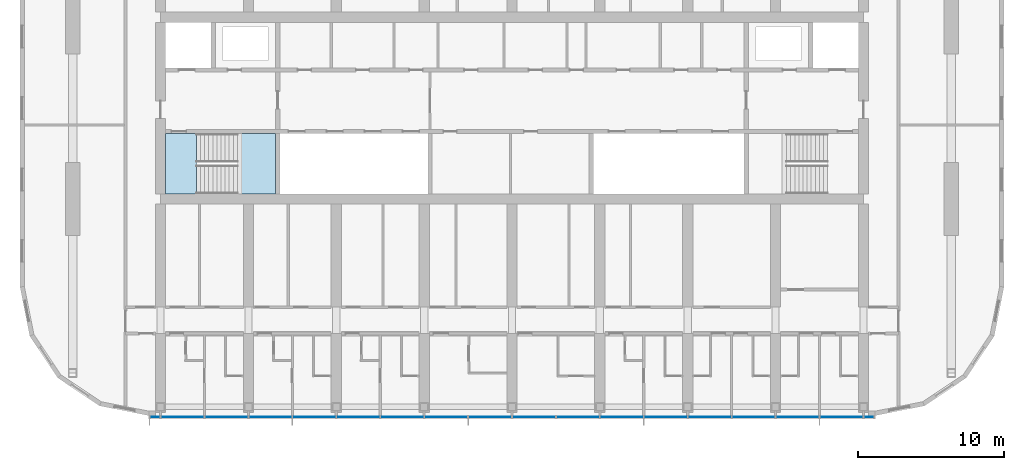
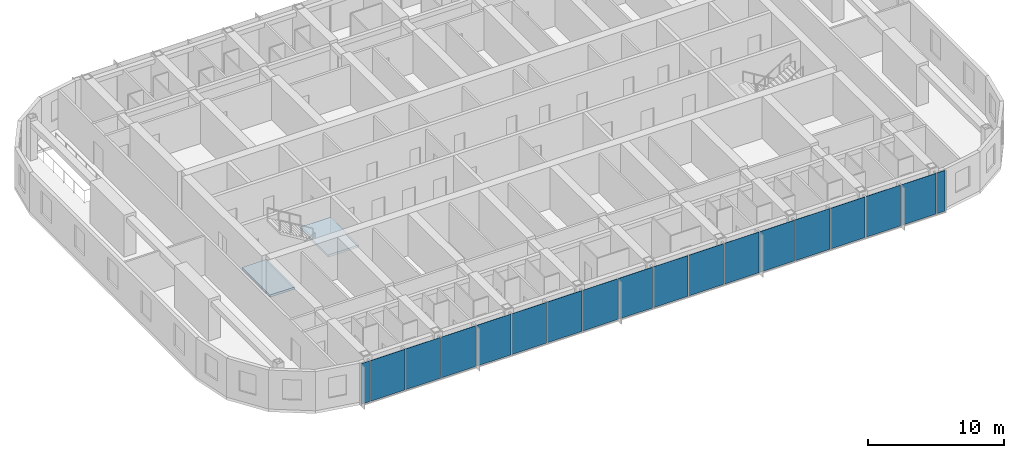
# One storey, part 7 of 24: 18 plates, 2 slabs, 2 elements without a shape of their own.
"""IFC4 building model written with IfcOpenShell, lengths in metres."""

from ifc_helpers import new_model, si_unit, direction, frame, origin, origin_2d, place, context, subcontext, project, spatial, polyline, rectangle, outline, extrude, material, layer, layer_set, type_object, element, aggregate, save


model = new_model("IFC4")

# Units and contexts
model_context = context("Model", 3, precision=1e-05, world=origin(), true_north=direction((0.0, 1.0)))
body_context = subcontext(model_context, "Body", "Model", "MODEL_VIEW")
ifc_project = project(units=[si_unit("LENGTHUNIT", "METRE"), si_unit("AREAUNIT", "SQUARE_METRE"), si_unit("VOLUMEUNIT", "CUBIC_METRE"), si_unit("PLANEANGLEUNIT", "RADIAN"), si_unit("MASSUNIT", "GRAM", prefix="KILO")], contexts=[model_context])

# Site, building, storey
site_placement = place(None, origin())
site = spatial("IfcSite", under=ifc_project, at=site_placement, CompositionType="ELEMENT")
building_placement = place(site_placement, origin())
building = spatial("IfcBuilding", under=site, at=building_placement, Name="Orbita Commons", CompositionType="ELEMENT")
storey_placement = place(building_placement, frame((0.0, 0.0, 235.300048828125)))
storey = spatial("IfcBuildingStorey", under=building, at=storey_placement, Name="L58", CompositionType="ELEMENT", Elevation=235.300048828125)

# Curtain wall, plates
ifc_material_1 = material(Name="Anodised aluminium frame, pale silver", Category="aluminium")
curtain_wall_type = type_object("IfcCurtainWallType", Name="Unitised curtain wall CW-U, full-height vision", PredefinedType="NOTDEFINED", material=ifc_material_1)
curtain_wall_placement = place(storey_placement, origin())
curtain_wall = element("IfcCurtainWall", 1, at=curtain_wall_placement, inside=storey, type_object=curtain_wall_type, Name="Curtain wall south L58", PredefinedType="NOTDEFINED")
ifc_material_2 = material(Name="Clear double glazing", Category="glass")
ifc_layer_1 = layer(ifc_material_2, 0.031982421875)
ifc_layer_set_1 = layer_set([ifc_layer_1], Name="Clear double glazing")
plate_type = type_object("IfcPlateType", Name="Full-height vision panel, clear glazing 32", PredefinedType="CURTAIN_PANEL", material=ifc_layer_set_1)
plate_1_placement = place(storey_placement, frame((17.6201171875, 10.889892578125, -0.14990234375), z_axis=(0.0, 0.0, 1.0), x_axis=(1.0, 0.0, 0.0)))
plate_1 = element("IfcPlate", 2, at=plate_1_placement, type_object=plate_type, Name="Panel 1.1 CW-L58-S", PredefinedType="CURTAIN_PANEL", context=body_context, shape_type="SweptSolid", body=[
    extrude(rectangle(XDim=0.679931640625, YDim=0.031982421875, at=origin_2d()), origin(), (0.0, 0.0, 1.0), 3.64990234375),
])
plate_2_placement = place(storey_placement, frame((19.5, 10.889892578125, -0.14990234375), z_axis=(0.0, 0.0, 1.0), x_axis=(1.0, 0.0, 0.0)))
plate_2 = element("IfcPlate", 3, at=plate_2_placement, type_object=plate_type, Name="Panel 2.1 CW-L58-S", PredefinedType="CURTAIN_PANEL", context=body_context, shape_type="SweptSolid", body=[
    extrude(rectangle(XDim=2.919921875, YDim=0.031982421875, at=origin_2d()), origin(), (0.0, 0.0, 1.0), 3.64990234375),
])
plate_3_placement = place(storey_placement, frame((22.5, 10.889892578125, -0.14990234375), z_axis=(0.0, 0.0, 1.0), x_axis=(1.0, 0.0, 0.0)))
plate_3 = element("IfcPlate", 4, at=plate_3_placement, type_object=plate_type, Name="Panel 3.1 CW-L58-S", PredefinedType="CURTAIN_PANEL", context=body_context, shape_type="SweptSolid", body=[
    extrude(rectangle(XDim=2.919921875, YDim=0.031982421875, at=origin_2d()), origin(), (0.0, 0.0, 1.0), 3.64990234375),
])
plate_4_placement = place(storey_placement, frame((25.5, 10.889892578125, -0.14990234375), z_axis=(0.0, 0.0, 1.0), x_axis=(1.0, 0.0, 0.0)))
plate_4 = element("IfcPlate", 5, at=plate_4_placement, type_object=plate_type, Name="Panel 4.1 CW-L58-S", PredefinedType="CURTAIN_PANEL", context=body_context, shape_type="SweptSolid", body=[
    extrude(rectangle(XDim=2.919921875, YDim=0.031982421875, at=origin_2d()), origin(), (0.0, 0.0, 1.0), 3.64990234375),
])
plate_5_placement = place(storey_placement, frame((28.5, 10.889892578125, -0.14990234375), z_axis=(0.0, 0.0, 1.0), x_axis=(1.0, 0.0, 0.0)))
plate_5 = element("IfcPlate", 6, at=plate_5_placement, type_object=plate_type, Name="Panel 5.1 CW-L58-S", PredefinedType="CURTAIN_PANEL", context=body_context, shape_type="SweptSolid", body=[
    extrude(rectangle(XDim=2.919921875, YDim=0.031982421875, at=origin_2d()), origin(), (0.0, 0.0, 1.0), 3.64990234375),
])
plate_6_placement = place(storey_placement, frame((31.5, 10.889892578125, -0.14990234375), z_axis=(0.0, 0.0, 1.0), x_axis=(1.0, 0.0, 0.0)))
plate_6 = element("IfcPlate", 7, at=plate_6_placement, type_object=plate_type, Name="Panel 6.1 CW-L58-S", PredefinedType="CURTAIN_PANEL", context=body_context, shape_type="SweptSolid", body=[
    extrude(rectangle(XDim=2.919921875, YDim=0.031982421875, at=origin_2d()), origin(), (0.0, 0.0, 1.0), 3.64990234375),
])
plate_7_placement = place(storey_placement, frame((34.5, 10.889892578125, -0.14990234375), z_axis=(0.0, 0.0, 1.0), x_axis=(1.0, 0.0, 0.0)))
plate_7 = element("IfcPlate", 8, at=plate_7_placement, type_object=plate_type, Name="Panel 7.1 CW-L58-S", PredefinedType="CURTAIN_PANEL", context=body_context, shape_type="SweptSolid", body=[
    extrude(rectangle(XDim=2.919921875, YDim=0.031982421875, at=origin_2d()), origin(), (0.0, 0.0, 1.0), 3.64990234375),
])
plate_8_placement = place(storey_placement, frame((37.5, 10.889892578125, -0.14990234375), z_axis=(0.0, 0.0, 1.0), x_axis=(1.0, 0.0, 0.0)))
plate_8 = element("IfcPlate", 9, at=plate_8_placement, type_object=plate_type, Name="Panel 8.1 CW-L58-S", PredefinedType="CURTAIN_PANEL", context=body_context, shape_type="SweptSolid", body=[
    extrude(rectangle(XDim=2.919921875, YDim=0.031982421875, at=origin_2d()), origin(), (0.0, 0.0, 1.0), 3.64990234375),
])
plate_9_placement = place(storey_placement, frame((40.5, 10.889892578125, -0.14990234375), z_axis=(0.0, 0.0, 1.0), x_axis=(1.0, 0.0, 0.0)))
plate_9 = element("IfcPlate", 10, at=plate_9_placement, type_object=plate_type, Name="Panel 9.1 CW-L58-S", PredefinedType="CURTAIN_PANEL", context=body_context, shape_type="SweptSolid", body=[
    extrude(rectangle(XDim=2.919921875, YDim=0.031982421875, at=origin_2d()), origin(), (0.0, 0.0, 1.0), 3.64990234375),
])
plate_10_placement = place(storey_placement, frame((43.5, 10.889892578125, -0.14990234375), z_axis=(0.0, 0.0, 1.0), x_axis=(1.0, 0.0, 0.0)))
plate_10 = element("IfcPlate", 11, at=plate_10_placement, type_object=plate_type, Name="Panel 10.1 CW-L58-S", PredefinedType="CURTAIN_PANEL", context=body_context, shape_type="SweptSolid", body=[
    extrude(rectangle(XDim=2.919921875, YDim=0.031982421875, at=origin_2d()), origin(), (0.0, 0.0, 1.0), 3.64990234375),
])
plate_11_placement = place(storey_placement, frame((46.5, 10.889892578125, -0.14990234375), z_axis=(0.0, 0.0, 1.0), x_axis=(1.0, 0.0, 0.0)))
plate_11 = element("IfcPlate", 12, at=plate_11_placement, type_object=plate_type, Name="Panel 11.1 CW-L58-S", PredefinedType="CURTAIN_PANEL", context=body_context, shape_type="SweptSolid", body=[
    extrude(rectangle(XDim=2.919921875, YDim=0.031982421875, at=origin_2d()), origin(), (0.0, 0.0, 1.0), 3.64990234375),
])
plate_12_placement = place(storey_placement, frame((49.5, 10.889892578125, -0.14990234375), z_axis=(0.0, 0.0, 1.0), x_axis=(1.0, 0.0, 0.0)))
plate_12 = element("IfcPlate", 13, at=plate_12_placement, type_object=plate_type, Name="Panel 12.1 CW-L58-S", PredefinedType="CURTAIN_PANEL", context=body_context, shape_type="SweptSolid", body=[
    extrude(rectangle(XDim=2.919921875, YDim=0.031982421875, at=origin_2d()), origin(), (0.0, 0.0, 1.0), 3.64990234375),
])
plate_13_placement = place(storey_placement, frame((52.5, 10.889892578125, -0.14990234375), z_axis=(0.0, 0.0, 1.0), x_axis=(1.0, 0.0, 0.0)))
plate_13 = element("IfcPlate", 14, at=plate_13_placement, type_object=plate_type, Name="Panel 13.1 CW-L58-S", PredefinedType="CURTAIN_PANEL", context=body_context, shape_type="SweptSolid", body=[
    extrude(rectangle(XDim=2.919921875, YDim=0.031982421875, at=origin_2d()), origin(), (0.0, 0.0, 1.0), 3.64990234375),
])
plate_14_placement = place(storey_placement, frame((55.5, 10.889892578125, -0.14990234375), z_axis=(0.0, 0.0, 1.0), x_axis=(1.0, 0.0, 0.0)))
plate_14 = element("IfcPlate", 15, at=plate_14_placement, type_object=plate_type, Name="Panel 14.1 CW-L58-S", PredefinedType="CURTAIN_PANEL", context=body_context, shape_type="SweptSolid", body=[
    extrude(rectangle(XDim=2.919921875, YDim=0.031982421875, at=origin_2d()), origin(), (0.0, 0.0, 1.0), 3.64990234375),
])
plate_15_placement = place(storey_placement, frame((58.5, 10.889892578125, -0.14990234375), z_axis=(0.0, 0.0, 1.0), x_axis=(1.0, 0.0, 0.0)))
plate_15 = element("IfcPlate", 16, at=plate_15_placement, type_object=plate_type, Name="Panel 15.1 CW-L58-S", PredefinedType="CURTAIN_PANEL", context=body_context, shape_type="SweptSolid", body=[
    extrude(rectangle(XDim=2.919921875, YDim=0.031982421875, at=origin_2d()), origin(), (0.0, 0.0, 1.0), 3.64990234375),
])
plate_16_placement = place(storey_placement, frame((61.5, 10.889892578125, -0.14990234375), z_axis=(0.0, 0.0, 1.0), x_axis=(1.0, 0.0, 0.0)))
plate_16 = element("IfcPlate", 17, at=plate_16_placement, type_object=plate_type, Name="Panel 16.1 CW-L58-S", PredefinedType="CURTAIN_PANEL", context=body_context, shape_type="SweptSolid", body=[
    extrude(rectangle(XDim=2.919921875, YDim=0.031982421875, at=origin_2d()), origin(), (0.0, 0.0, 1.0), 3.64990234375),
])
plate_17_placement = place(storey_placement, frame((64.5, 10.889892578125, -0.14990234375), z_axis=(0.0, 0.0, 1.0), x_axis=(1.0, 0.0, 0.0)))
plate_17 = element("IfcPlate", 18, at=plate_17_placement, type_object=plate_type, Name="Panel 17.1 CW-L58-S", PredefinedType="CURTAIN_PANEL", context=body_context, shape_type="SweptSolid", body=[
    extrude(rectangle(XDim=2.919921875, YDim=0.031982421875, at=origin_2d()), origin(), (0.0, 0.0, 1.0), 3.64990234375),
])
plate_18_placement = place(storey_placement, frame((66.3798828125, 10.889892578125, -0.14990234375), z_axis=(0.0, 0.0, 1.0), x_axis=(1.0, 0.0, 0.0)))
plate_18 = element("IfcPlate", 19, at=plate_18_placement, type_object=plate_type, Name="Panel 18.1 CW-L58-S", PredefinedType="CURTAIN_PANEL", context=body_context, shape_type="SweptSolid", body=[
    extrude(rectangle(XDim=0.679931640625, YDim=0.031982421875, at=origin_2d()), origin(), (0.0, 0.0, 1.0), 3.64990234375),
])
aggregate(curtain_wall, [plate_1, plate_2, plate_3, plate_4, plate_5, plate_6, plate_7, plate_8, plate_9, plate_10, plate_11, plate_12, plate_13, plate_14, plate_15, plate_16, plate_17, plate_18])

# Stair, slabs
ifc_material_3 = material(Name="Precast concrete C40/50", Category="concrete")
stair_type = type_object("IfcStairType", Name="Exit stair S1 2 flights 11 risers 170", PredefinedType="HALF_TURN_STAIR", material=ifc_material_3)
stair_placement = place(storey_placement, origin())
stair = element("IfcStair", 20, at=stair_placement, inside=storey, type_object=stair_type, Name="Exit stair S1 L58", PredefinedType="HALF_TURN_STAIR")
ifc_material_4 = material(Name="Concrete C40/50", Category="concrete")
ifc_layer_2 = layer(ifc_material_4, 0.199951171875)
ifc_layer_set_2 = layer_set([ifc_layer_2], Name="Concrete C40/50")
slab_type = type_object("IfcSlabType", Name="Stair landing 200", PredefinedType="LANDING", material=ifc_layer_set_2)
slab_1_placement = place(storey_placement, frame((0.0, 0.0, -0.199951171875)))
slab_1 = element("IfcSlab", 21, at=slab_1_placement, type_object=slab_type, Name="S1 landing 1", PredefinedType="LANDING", context=body_context, shape_type="SweptSolid", body=[
    extrude(outline(polyline([(18.35009765625, 26.14990234375), (20.449951171875, 26.14990234375), (20.449951171875, 30.25), (18.35009765625, 30.25), (18.35009765625, 26.14990234375)])), origin(), (0.0, 0.0, 1.0), 0.199951171875),
])
slab_2_placement = place(storey_placement, frame((0.0, 0.0, 1.675048828125)))
slab_2 = element("IfcSlab", 22, at=slab_2_placement, type_object=slab_type, Name="S1 landing 2", PredefinedType="LANDING", context=body_context, shape_type="SweptSolid", body=[
    extrude(outline(polyline([(23.25, 26.135009765625), (25.864990234375, 26.135009765625), (25.864990234375, 30.264892578125), (23.25, 30.264892578125), (23.25, 26.135009765625)])), origin(), (0.0, 0.0, 1.0), 0.199951171875),
])
aggregate(stair, [slab_1, slab_2])

save(model, "model.ifc")
